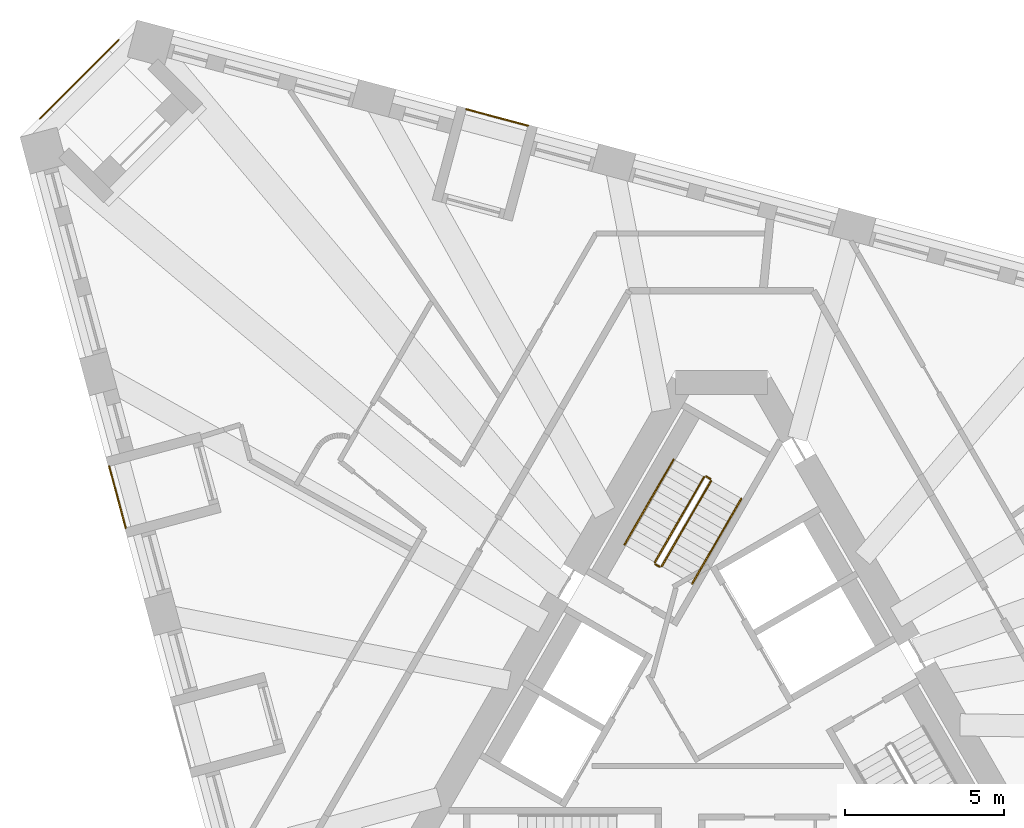
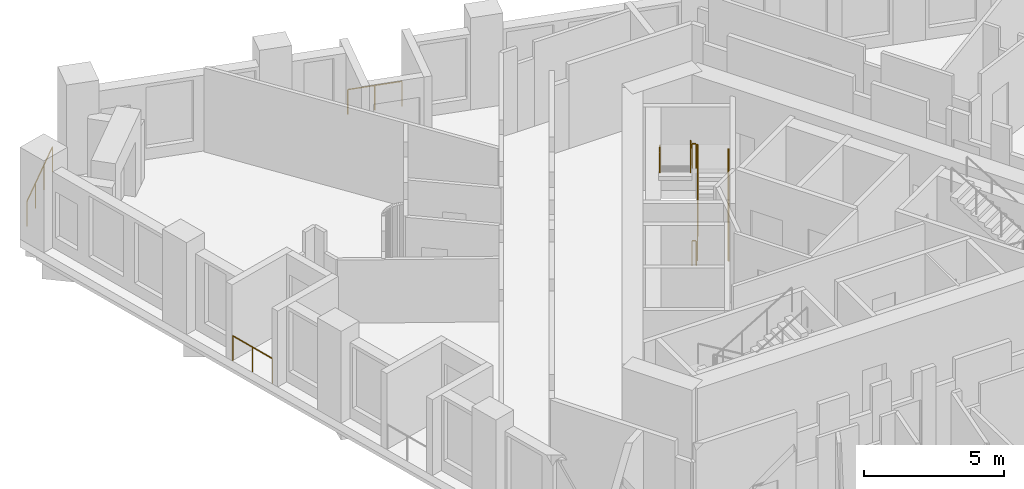
# One storey, part 12 of 13: 9 railings.
"""IFC4 building model written with IfcOpenShell, lengths in metres."""

import ifcopenshell
import ifcopenshell.guid

model = None  # the IFC model being written
_history = None  # IfcOwnerHistory: only IFC2X3 demands one
_inside = {}  # id of a spatial element -> (the spatial element, [elements in it])
_under = {}  # id of a project, library or spatial element -> (it, [spatial elements below it])
_declared = {}  # id of a project -> (the project, [libraries it declares])
_typed = {}  # id of a type object -> (the type object, [elements of that type])
_made_of = {}  # id of a material, layer set ... -> (it, [elements and type objects made of it])


def new_model(schema):
    """Start an empty IFC model of exactly this schema.

    Asked for "IFC4X3", IfcOpenShell would pick the latest addendum, in which some entities
    have other attributes; the version numbers below select the first issue.
    IFC2X3 requires an IfcOwnerHistory on every rooted entity: one is made here for all.
    """
    global model, _history
    if schema == "IFC4X3":
        model = ifcopenshell.file(schema_version=(4, 3, 0, 0))
    else:
        model = ifcopenshell.file(schema=schema)
    _inside.clear()
    _under.clear()
    _declared.clear()
    _typed.clear()
    _made_of.clear()
    _history = None
    if model.schema == "IFC2X3":
        org = make("IfcOrganization", Name="unknown")
        user = make(
            "IfcPersonAndOrganization",
            ThePerson=make("IfcPerson", FamilyName="unknown"),
            TheOrganization=org,
        )
        app = make(
            "IfcApplication",
            ApplicationDeveloper=org,
            Version="unknown",
            ApplicationFullName="unknown",
            ApplicationIdentifier="unknown",
        )
        _history = make(
            "IfcOwnerHistory",
            OwningUser=user,
            OwningApplication=app,
            ChangeAction="ADDED",
            CreationDate=0,
        )
    return model


def make(cls, **values):
    """One entity of the class cls with the attributes given. An attribute that is None is left unset."""
    return model.create_entity(
        cls, **{name: value for name, value in values.items() if value is not None}
    )


def rooted(cls, **values):
    """An entity with a GlobalId (a new one), such as an element, a storey or a relation."""
    return make(cls, GlobalId=ifcopenshell.guid.new(), OwnerHistory=_history, **values)


def si_unit(unit_type, name, prefix=None):
    """IfcSIUnit, for example si_unit("LENGTHUNIT", "METRE", prefix="MILLI")."""
    return make("IfcSIUnit", UnitType=unit_type, Prefix=prefix, Name=name)


def assignment(units):
    """IfcUnitAssignment: the units of a project."""
    return None if units is None else make("IfcUnitAssignment", Units=units)


def point(xyz):
    """IfcCartesianPoint."""
    return None if xyz is None else make("IfcCartesianPoint", Coordinates=xyz)


def direction(xyz):
    """IfcDirection."""
    return None if xyz is None else make("IfcDirection", DirectionRatios=xyz)


def frame(location, z_axis=None, x_axis=None):
    """IfcAxis2Placement3D, a coordinate frame: its origin and axes. An axis left out is left unset."""
    return make(
        "IfcAxis2Placement3D",
        Location=point(location),
        Axis=direction(z_axis),
        RefDirection=direction(x_axis),
    )


def frame_2d(location, x_axis=None):
    """IfcAxis2Placement2D, a coordinate frame in the plane: its origin and x axis."""
    return make(
        "IfcAxis2Placement2D", Location=point(location), RefDirection=direction(x_axis)
    )


def origin():
    """The frame at (0, 0, 0) with its axes left unset."""
    return frame((0.0, 0.0, 0.0))


def origin_2d():
    """The frame at (0, 0) in the plane with its x axis left unset."""
    return frame_2d((0.0, 0.0))


def place(relative_to, where):
    """IfcLocalPlacement: puts the frame where relative to a parent placement (None: the world)."""
    return make(
        "IfcLocalPlacement", PlacementRelTo=relative_to, RelativePlacement=where
    )


def context(
    kind, dimensions, precision=None, world=None, true_north=None, identifier=None
):
    """IfcGeometricRepresentationContext, for example the 3D "Model" context."""
    return make(
        "IfcGeometricRepresentationContext",
        ContextIdentifier=identifier,
        ContextType=kind,
        CoordinateSpaceDimension=dimensions,
        Precision=precision,
        WorldCoordinateSystem=world,
        TrueNorth=true_north,
    )


def subcontext(parent, identifier, kind, view, scale=None):
    """IfcGeometricRepresentationSubContext, for example "Body" below "Model"."""
    return make(
        "IfcGeometricRepresentationSubContext",
        ContextIdentifier=identifier,
        ContextType=kind,
        ParentContext=parent,
        TargetScale=scale,
        TargetView=view,
    )


def project(units=None, contexts=None):
    """IfcProject with its units and contexts."""
    return rooted(
        "IfcProject",
        Name="project",
        RepresentationContexts=contexts,
        UnitsInContext=assignment(units),
    )


def spatial(cls, under=None, at=None, **own):
    """A site, building, storey or space (cls), placed at a placement, below another one or the project."""
    s = rooted(cls, ObjectPlacement=at, **own)
    if under is not None:
        _under.setdefault(under.id(), (under, []))[1].append(s)
    return s


def profile(cls, at=None, kind="AREA", **sizes):
    """A parametric profile (cls). Its sizes go by their IFC names, for example OverallWidth=200.0."""
    return make(cls, ProfileType=kind, Position=at, **sizes)


def circle(**sizes):
    """IfcCircleProfileDef."""
    return profile("IfcCircleProfileDef", **sizes)


def extrude(swept, where, along, depth):
    """IfcExtrudedAreaSolid: the profile swept, set in the frame where, extruded along a direction by depth."""
    return make(
        "IfcExtrudedAreaSolid",
        SweptArea=swept,
        Position=where,
        ExtrudedDirection=direction(along),
        Depth=depth,
    )


def shape(context_of_items, identifier, shape_type, items):
    """IfcShapeRepresentation: the items that make up one representation, for example the "Body"."""
    return make(
        "IfcShapeRepresentation",
        ContextOfItems=context_of_items,
        RepresentationIdentifier=identifier,
        RepresentationType=shape_type,
        Items=items,
    )


def material(Name=None, Category=None):
    """IfcMaterial."""
    return make("IfcMaterial", Name=Name, Category=Category)


def made_of(thing, what):
    """Note that an element or type object is made of a material, layer set ...; save() writes the relation."""
    if what is not None:
        _made_of.setdefault(what.id(), (what, []))[1].append(thing)
    return thing


def type_object(cls, material=None, **own):
    """A type object (cls), such as IfcWallType, which elements share."""
    return made_of(rooted(cls, **own), material)


def element(
    cls,
    number,
    at=None,
    inside=None,
    cuts=None,
    type_object=None,
    material=None,
    context=None,
    identifier="Body",
    shape_type=None,
    held_by="IfcProductDefinitionShape",
    body=None,
    shapes=None,
    **own,
):
    """One element of the class cls, such as IfcWall. Its Tag is "e" and its number.

    at: its placement. inside: the storey or other place that contains it. cuts: it is an
    opening in that element (IfcRelVoidsElement). A single representation is given by context,
    identifier, shape_type and body (its items); several are given by shapes. held_by: the class
    of the entity that holds the representations. save() writes the other relations.
    """
    e = rooted(cls, Tag="e%d" % number, ObjectPlacement=at, **own)
    if body is not None:
        shapes = [shape(context, identifier, shape_type, body)]
    if shapes is not None:
        e.Representation = make(held_by, Representations=shapes)
    if inside is not None:
        _inside.setdefault(inside.id(), (inside, []))[1].append(e)
    if cuts is not None:
        rooted(
            "IfcRelVoidsElement", RelatingBuildingElement=cuts, RelatedOpeningElement=e
        )
    if type_object is not None:
        _typed.setdefault(type_object.id(), (type_object, []))[1].append(e)
    return made_of(e, material)


def aggregate(whole, parts):
    """IfcRelAggregates: a whole, such as a stair, and the parts it consists of."""
    return rooted("IfcRelAggregates", RelatingObject=whole, RelatedObjects=parts)


def save(model, path):
    """Write the relations noted so far, then the file.

    IfcRelAggregates (storeys below a building ...), IfcRelContainedInSpatialStructure (elements
    in a storey), IfcRelDefinesByType, IfcRelAssociatesMaterial and IfcRelDeclares: one each for
    every whole, place, type object, material and project.
    """
    for whole, parts in _under.values():
        aggregate(whole, parts)
    for where, things in _inside.values():
        rooted(
            "IfcRelContainedInSpatialStructure",
            RelatedElements=things,
            RelatingStructure=where,
        )
    for kind, things in _typed.values():
        rooted("IfcRelDefinesByType", RelatedObjects=things, RelatingType=kind)
    for what, things in _made_of.values():
        rooted("IfcRelAssociatesMaterial", RelatedObjects=things, RelatingMaterial=what)
    for by, libraries in _declared.values():
        rooted("IfcRelDeclares", RelatingContext=by, RelatedDefinitions=libraries)
    model.write(path)


model = new_model("IFC4")

# Units and contexts
model_context = context("Model", 3, precision=1e-05, world=origin(), true_north=direction((0.0, 1.0)))
body_context = subcontext(model_context, "Body", "Model", "MODEL_VIEW")
ifc_project = project(units=[si_unit("LENGTHUNIT", "METRE"), si_unit("AREAUNIT", "SQUARE_METRE"), si_unit("VOLUMEUNIT", "CUBIC_METRE"), si_unit("PLANEANGLEUNIT", "RADIAN"), si_unit("MASSUNIT", "GRAM", prefix="KILO")], contexts=[model_context])

# Site, building, storey
site_placement = place(None, origin())
site = spatial("IfcSite", under=ifc_project, at=site_placement, CompositionType="ELEMENT")
building_placement = place(site_placement, origin())
building = spatial("IfcBuilding", under=site, at=building_placement, Name="Tramontana Tower", CompositionType="ELEMENT")
storey_placement = place(building_placement, frame((0.0, 0.0, 216.0)))
storey = spatial("IfcBuildingStorey", under=building, at=storey_placement, Name="L50", CompositionType="ELEMENT", Elevation=216.0)

# Railings
ifc_material_1 = material(Name="Laminated glass balustrade", Category="glass")
railing_type_1 = type_object("IfcRailingType", Name="GD1 Loggia glass balustrade 1100", PredefinedType="BALUSTRADE", material=ifc_material_1)
railing_1_placement = place(storey_placement, frame((-19.193359375, 7.9951171875, 0.0)))
element("IfcRailing", 1, at=railing_1_placement, inside=storey, type_object=railing_type_1, Name="Loggia balustrade L50 G5S0.4", PredefinedType="BALUSTRADE", context=body_context, shape_type="SweptSolid", body=[
    extrude(circle(Radius=0.02392578125, at=origin_2d()), frame((0.0, 0.0, 1.076171875), z_axis=(0.258803270362, -0.96593005298, 0.0), x_axis=(0.96593005298, 0.258803270362, 0.0)), (0.0, 0.0, 1.0), 1.998046875),
    extrude(circle(Radius=0.02099609375, at=origin_2d()), origin(), (0.0, 0.0, 1.0), 1.052001953125),
    extrude(circle(Radius=0.02099609375, at=origin_2d()), frame((0.258544921875, -0.96484375, 0.0)), (0.0, 0.0, 1.0), 1.052001953125),
    extrude(circle(Radius=0.02099609375, at=origin_2d()), frame((0.51708984375, -1.929931640625, 0.0)), (0.0, 0.0, 1.0), 1.052001953125),
])
railing_2_placement = place(storey_placement, frame((-6.065185546875, 18.67626953125, 0.0)))
element("IfcRailing", 2, at=railing_2_placement, inside=storey, type_object=railing_type_1, Name="Loggia balustrade L50 G5S2.13", PredefinedType="BALUSTRADE", context=body_context, shape_type="SweptSolid", body=[
    extrude(circle(Radius=0.02392578125, at=origin_2d()), frame((0.0, 0.0, 1.076171875), z_axis=(-0.96593005298, 0.258803270362, 0.0), x_axis=(-0.258803270362, -0.96593005298, 0.0)), (0.0, 0.0, 1.0), 1.998046875),
    extrude(circle(Radius=0.02099609375, at=origin_2d()), origin(), (0.0, 0.0, 1.0), 1.052001953125),
    extrude(circle(Radius=0.02099609375, at=origin_2d()), frame((-0.96484375, 0.258544921875, 0.0)), (0.0, 0.0, 1.0), 1.052001953125),
    extrude(circle(Radius=0.02099609375, at=origin_2d()), frame((-1.929931640625, 0.51708984375, 0.0)), (0.0, 0.0, 1.0), 1.052001953125),
])
railing_3_placement = place(storey_placement, frame((-21.36865234375, 18.893798828125, 0.0)))
element("IfcRailing", 3, at=railing_3_placement, inside=storey, type_object=railing_type_1, Name="Corner loggia balustrade L50 K50", PredefinedType="BALUSTRADE", context=body_context, shape_type="SweptSolid", body=[
    extrude(circle(Radius=0.02392578125, at=origin_2d()), frame((0.0, 0.0, 1.076171875), z_axis=(0.707106781187, 0.707106781187, 0.0), x_axis=(-0.707106781187, 0.707106781187, 0.0)), (0.0, 0.0, 1.0), 3.5),
    extrude(circle(Radius=0.02099609375, at=origin_2d()), origin(), (0.0, 0.0, 1.0), 1.052001953125),
    extrude(circle(Radius=0.02099609375, at=origin_2d()), frame((0.824951171875, 0.824951171875, 0.0)), (0.0, 0.0, 1.0), 1.052001953125),
    extrude(circle(Radius=0.02099609375, at=origin_2d()), frame((1.64990234375, 1.64990234375, 0.0)), (0.0, 0.0, 1.0), 1.052001953125),
    extrude(circle(Radius=0.02099609375, at=origin_2d()), frame((2.474853515625, 2.474853515625, 0.0)), (0.0, 0.0, 1.0), 1.052001953125),
])
ifc_material_2 = material(Name="Painted steel", Category="steel")
railing_type_2 = type_object("IfcRailingType", Name="STAIR GUARD 1100", PredefinedType="GUARDRAIL", material=ifc_material_2)
railing_4_placement = place(storey_placement, frame((-1.867431640625, 4.865478515625, 0.166748046875)))
element("IfcRailing", 4, at=railing_4_placement, inside=storey, type_object=railing_type_2, Name="L50 ST1 stair guard 1", PredefinedType="GUARDRAIL", context=body_context, shape_type="SweptSolid", body=[
    extrude(circle(Radius=0.02392578125, at=origin_2d()), frame((0.0, 0.0, 1.076171875), z_axis=(0.429649414936, 0.744189839504, 0.511451721109), x_axis=(-0.866029832698, 0.499992328818, 0.0)), (0.0, 0.0, 1.0), 3.58447265625),
    extrude(circle(Radius=0.02099609375, at=origin_2d()), origin(), (0.0, 0.0, 1.0), 1.052001953125),
    extrude(circle(Radius=0.02099609375, at=origin_2d()), frame((0.513427734375, 0.88916015625, 0.611083984375)), (0.0, 0.0, 1.0), 1.052001953125),
    extrude(circle(Radius=0.02099609375, at=origin_2d()), frame((1.026611328125, 1.7783203125, 1.22216796875)), (0.0, 0.0, 1.0), 1.052001953125),
    extrude(circle(Radius=0.02099609375, at=origin_2d()), frame((1.5400390625, 2.66748046875, 1.833251953125)), (0.0, 0.0, 1.0), 1.052001953125),
])
railing_5_placement = place(storey_placement, frame((-0.5439453125, 7.657958984375, 2.166748046875)))
element("IfcRailing", 5, at=railing_5_placement, inside=storey, type_object=railing_type_2, Name="L50 ST1 stair guard 2", PredefinedType="GUARDRAIL", context=body_context, shape_type="SweptSolid", body=[
    extrude(circle(Radius=0.02392578125, at=origin_2d()), frame((0.0, 0.0, 1.076171875), z_axis=(-0.429649414936, -0.744189839504, 0.511451721109), x_axis=(0.866029832698, -0.499992328818, 0.0)), (0.0, 0.0, 1.0), 3.58447265625),
    extrude(circle(Radius=0.02099609375, at=origin_2d()), origin(), (0.0, 0.0, 1.0), 1.052001953125),
    extrude(circle(Radius=0.02099609375, at=origin_2d()), frame((-0.513427734375, -0.88916015625, 0.611083984375)), (0.0, 0.0, 1.0), 1.052001953125),
    extrude(circle(Radius=0.02099609375, at=origin_2d()), frame((-1.026611328125, -1.7783203125, 1.22216796875)), (0.0, 0.0, 1.0), 1.052001953125),
    extrude(circle(Radius=0.02099609375, at=origin_2d()), frame((-1.5400390625, -2.66748046875, 1.833251953125)), (0.0, 0.0, 1.0), 1.052001953125),
])
railing_6_placement = place(storey_placement, frame((-0.345703125, 7.601318359375, 2.0)))
element("IfcRailing", 6, at=railing_6_placement, inside=storey, type_object=railing_type_2, Name="L50 ST1 stair guard 3", PredefinedType="GUARDRAIL", context=body_context, shape_type="SweptSolid", body=[
    extrude(circle(Radius=0.02392578125, at=origin_2d()), frame((0.0, 0.0, 1.076171875), z_axis=(-0.866131372301, 0.499816412211, 0.0), x_axis=(-0.499816412211, -0.866131372301, 0.0)), (0.0, 0.0, 1.0), 0.14990234375),
    extrude(circle(Radius=0.02099609375, at=origin_2d()), origin(), (0.0, 0.0, 1.0), 1.052001953125),
    extrude(circle(Radius=0.02099609375, at=origin_2d()), frame((-0.1298828125, 0.074951171875, 0.0)), (0.0, 0.0, 1.0), 1.052001953125),
])
railing_7_placement = place(storey_placement, frame((-1.935791015625, 4.84716796875, 0.0)))
element("IfcRailing", 7, at=railing_7_placement, inside=storey, type_object=railing_type_2, Name="L50 ST1 stair guard 4", PredefinedType="GUARDRAIL", context=body_context, shape_type="SweptSolid", body=[
    extrude(circle(Radius=0.02392578125, at=origin_2d()), frame((0.0, 0.0, 1.076171875), z_axis=(-0.865426285481, 0.501036270542, 0.0), x_axis=(-0.501036270542, -0.865426285481, 0.0)), (0.0, 0.0, 1.0), 0.150146484375),
    extrude(circle(Radius=0.02099609375, at=origin_2d()), origin(), (0.0, 0.0, 1.0), 1.052001953125),
    extrude(circle(Radius=0.02099609375, at=origin_2d()), frame((-0.1298828125, 0.0751953125, 0.0)), (0.0, 0.0, 1.0), 1.052001953125),
])
ifc_material_3 = material(Name="Painted steel", Category="steel")
railing_type_3 = type_object("IfcRailingType", Name="STAIR HANDRAIL 900", PredefinedType="HANDRAIL", material=ifc_material_3)
railing_8_placement = place(storey_placement, frame((-0.914794921875, 4.315673828125, 0.166748046875)))
element("IfcRailing", 8, at=railing_8_placement, inside=storey, type_object=railing_type_3, Name="L50 ST1 stair handrail 1", PredefinedType="HANDRAIL", context=body_context, shape_type="SweptSolid", body=[
    extrude(circle(Radius=0.02392578125, at=origin_2d()), frame((0.0, 0.0, 0.8759765625), z_axis=(0.429671193721, 0.744159446956, 0.511477646425), x_axis=(-0.866010015463, 0.500026652407, 0.0)), (0.0, 0.0, 1.0), 3.584228515625),
    extrude(circle(Radius=0.02099609375, at=origin_2d()), origin(), (0.0, 0.0, 1.0), 0.851806640625),
    extrude(circle(Radius=0.02099609375, at=origin_2d()), frame((0.513427734375, 0.88916015625, 0.611083984375)), (0.0, 0.0, 1.0), 0.851806640625),
    extrude(circle(Radius=0.02099609375, at=origin_2d()), frame((1.026611328125, 1.778076171875, 1.22216796875)), (0.0, 0.0, 1.0), 0.851806640625),
    extrude(circle(Radius=0.02099609375, at=origin_2d()), frame((1.5400390625, 2.667236328125, 1.833251953125)), (0.0, 0.0, 1.0), 0.851806640625),
])
railing_9_placement = place(storey_placement, frame((-1.49658203125, 8.2080078125, 2.166748046875)))
element("IfcRailing", 9, at=railing_9_placement, inside=storey, type_object=railing_type_3, Name="L50 ST1 stair handrail 2", PredefinedType="HANDRAIL", context=body_context, shape_type="SweptSolid", body=[
    extrude(circle(Radius=0.02392578125, at=origin_2d()), frame((0.0, 0.0, 0.8759765625), z_axis=(-0.429649414936, -0.744189839504, 0.511451721109), x_axis=(0.866029832698, -0.499992328818, 0.0)), (0.0, 0.0, 1.0), 3.58447265625),
    extrude(circle(Radius=0.02099609375, at=origin_2d()), origin(), (0.0, 0.0, 1.0), 0.851806640625),
    extrude(circle(Radius=0.02099609375, at=origin_2d()), frame((-0.513427734375, -0.88916015625, 0.611083984375)), (0.0, 0.0, 1.0), 0.851806640625),
    extrude(circle(Radius=0.02099609375, at=origin_2d()), frame((-1.026611328125, -1.7783203125, 1.22216796875)), (0.0, 0.0, 1.0), 0.851806640625),
    extrude(circle(Radius=0.02099609375, at=origin_2d()), frame((-1.5400390625, -2.66748046875, 1.833251953125)), (0.0, 0.0, 1.0), 0.851806640625),
])

save(model, "model.ifc")
